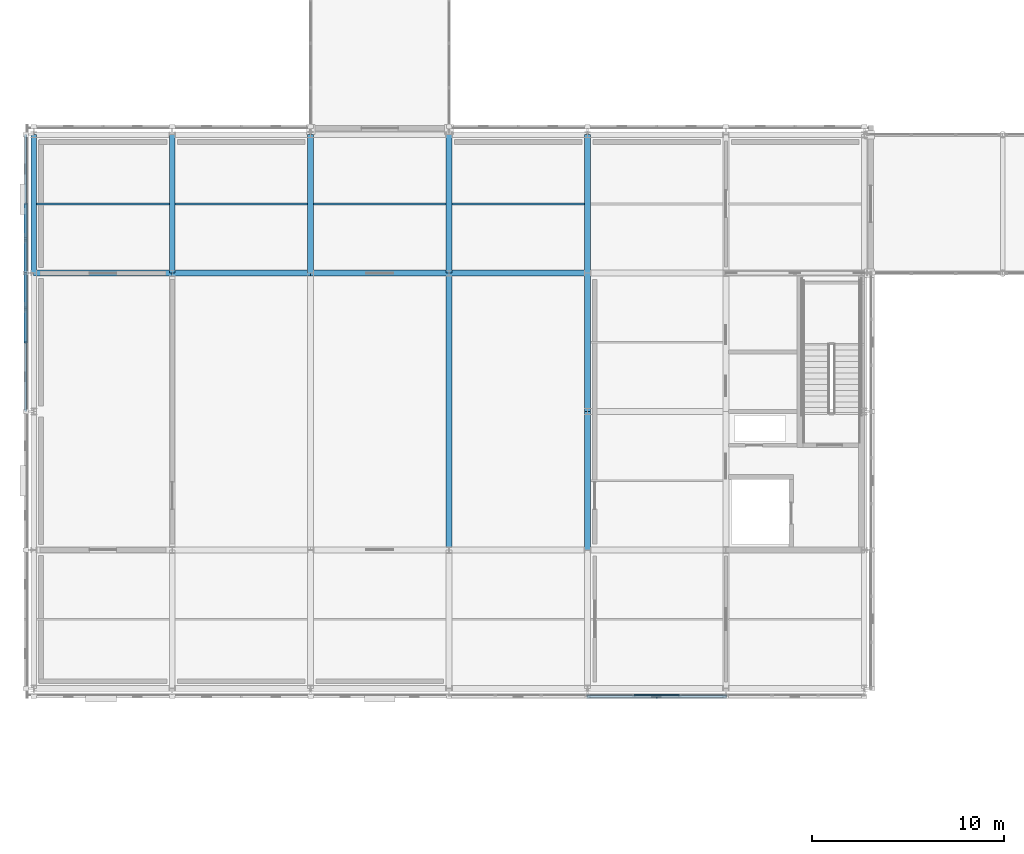
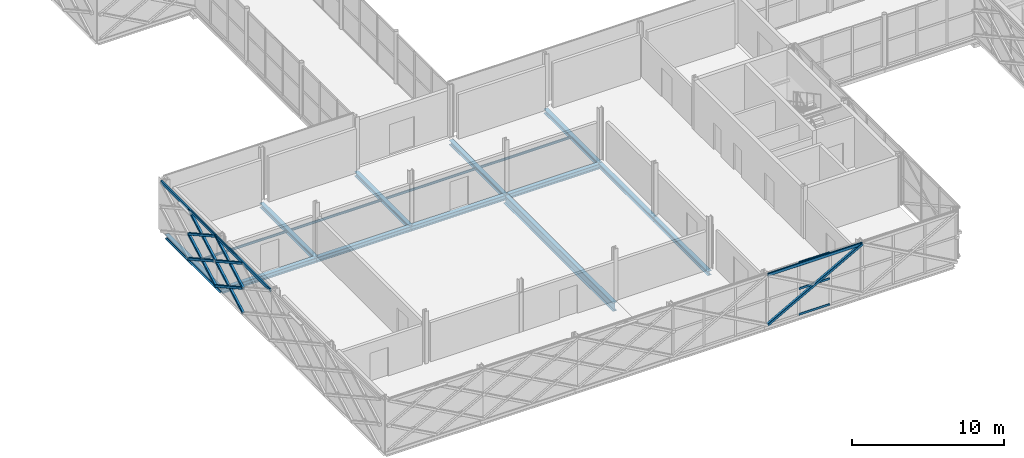
# One storey, part 27 of 146: 19 members, 16 beams, 1 element without a shape of its own.
"""IFC4 building model written with IfcOpenShell, lengths in metres."""

from ifc_helpers import new_model, si_unit, direction, frame, origin, origin_2d, place, context, subcontext, project, spatial, rectangle, hollow_rectangle, i_section, extrude, material, material_profile, profile_set, type_object, element, aggregate, save


model = new_model("IFC4")

# Units and contexts
model_context = context("Model", 3, precision=1e-05, world=origin(), true_north=direction((0.0, 1.0)))
body_context = subcontext(model_context, "Body", "Model", "MODEL_VIEW")
ifc_project = project(units=[si_unit("LENGTHUNIT", "METRE"), si_unit("AREAUNIT", "SQUARE_METRE"), si_unit("VOLUMEUNIT", "CUBIC_METRE"), si_unit("PLANEANGLEUNIT", "RADIAN"), si_unit("MASSUNIT", "GRAM", prefix="KILO")], contexts=[model_context])

# Site, building, storey
site_placement = place(None, origin())
site = spatial("IfcSite", under=ifc_project, at=site_placement, CompositionType="ELEMENT")
building_placement = place(site_placement, origin())
building = spatial("IfcBuilding", under=site, at=building_placement, Name="Zlatovets Crest Museum", CompositionType="ELEMENT")
storey_placement = place(building_placement, frame((0.0, 0.0, 4.5)))
storey = spatial("IfcBuildingStorey", under=building, at=storey_placement, Name="L01", CompositionType="ELEMENT", Elevation=4.5)

# Beams
ifc_material_1 = material(Name="Structural steel S355J2", Category="steel")
ifc_material_profile_1 = material_profile(ifc_material_1, i_section(OverallWidth=0.300048828125, OverallDepth=0.389892578125, WebThickness=0.010986328125, FlangeThickness=0.01904296875, FilletRadius=0.027099609375, at=origin_2d()), Name="HEA 400")
ifc_profile_set_1 = profile_set([ifc_material_profile_1], Name="Structural steel S355J2")
beam_type_1 = type_object("IfcBeamType", Name="Beam_B-02", PredefinedType="BEAM", material=ifc_profile_set_1)
for number, where, z_axis, x_axis, name in (
    (1, (0.0, 21.60009765625, -0.4150390625), (1.0, 0.0, 0.0), (0.0, 1.0, 0.0), "V3 L01 Primary Girder B-02"),
    (2, (7.199951171875, 21.60009765625, -0.4150390625), (1.0, 0.0, 0.0), (0.0, 1.0, 0.0), "V3 L01 Primary Girder B-02"),
):
    element("IfcBeam", number, at=place(storey_placement, frame(where, z_axis=z_axis, x_axis=x_axis)), inside=storey, type_object=beam_type_1, Name=name, PredefinedType="BEAM", context=body_context, shape_type="SweptSolid", body=[
        extrude(i_section(OverallWidth=0.300048828125, OverallDepth=0.389892578125, WebThickness=0.010986328125, FlangeThickness=0.01904296875, FilletRadius=0.027099609375, at=origin_2d()), origin(), (0.0, 0.0, 1.0), 7.199951171875),
    ])
beam_1_placement = place(storey_placement, frame((14.39990234375, 21.60009765625, -0.4150390625), z_axis=(1.0, 0.0, 0.0), x_axis=(0.0, 1.0, 0.0)))
element("IfcBeam", 3, at=beam_1_placement, inside=storey, type_object=beam_type_1, Name="V3 L01 Primary Girder B-02", PredefinedType="BEAM", context=body_context, shape_type="SweptSolid", body=[
    extrude(i_section(OverallWidth=0.300048828125, OverallDepth=0.389892578125, WebThickness=0.010986328125, FlangeThickness=0.01904296875, FilletRadius=0.027099609375, at=origin_2d()), origin(), (0.0, 0.0, 1.0), 7.2001953125),
])
beam_2_placement = place(storey_placement, frame((21.60009765625, 21.60009765625, -0.4150390625), z_axis=(1.0, 0.0, 0.0), x_axis=(0.0, 1.0, 0.0)))
element("IfcBeam", 4, at=beam_2_placement, inside=storey, type_object=beam_type_1, Name="V3 L01 Primary Girder B-02", PredefinedType="BEAM", context=body_context, shape_type="SweptSolid", body=[
    extrude(i_section(OverallWidth=0.300048828125, OverallDepth=0.389892578125, WebThickness=0.010986328125, FlangeThickness=0.01904296875, FilletRadius=0.027099609375, at=origin_2d()), origin(), (0.0, 0.0, 1.0), 7.199951171875),
])
ifc_material_profile_2 = material_profile(ifc_material_1, i_section(OverallWidth=0.300048828125, OverallDepth=0.35009765625, WebThickness=0.010009765625, FlangeThickness=0.017578125, FilletRadius=0.027099609375, at=origin_2d()), Name="HEA 360")
ifc_profile_set_2 = profile_set([ifc_material_profile_2], Name="Structural steel S355J2")
beam_type_2 = type_object("IfcBeamType", Name="Beam_B-03", PredefinedType="BEAM", material=ifc_profile_set_2)
for number, where, z_axis, x_axis, name in (
    (5, (0.0, 21.60009765625, -0.39501953125), (0.0, 1.0, 0.0), (-1.0, 0.0, 0.0), "V3 L01 Grid Beam B-03"),
    (6, (7.199951171875, 21.60009765625, -0.39501953125), (0.0, 1.0, 0.0), (-1.0, 0.0, 0.0), "V3 L01 Grid Beam B-03"),
    (7, (14.39990234375, 21.60009765625, -0.39501953125), (0.0, 1.0, 0.0), (-1.0, 0.0, 0.0), "V3 L01 Grid Beam B-03"),
    (8, (21.60009765625, 21.60009765625, -0.39501953125), (0.0, 1.0, 0.0), (-1.0, 0.0, 0.0), "V3 L01 Grid Beam B-03"),
    (9, (28.800048828125, 7.199951171875, -0.39501953125), (0.0, 1.0, 0.0), (-1.0, 0.0, 0.0), "V3 L01 Grid Beam B-03"),
):
    element("IfcBeam", number, at=place(storey_placement, frame(where, z_axis=z_axis, x_axis=x_axis)), inside=storey, type_object=beam_type_2, Name=name, PredefinedType="BEAM", context=body_context, shape_type="SweptSolid", body=[
        extrude(i_section(OverallWidth=0.300048828125, OverallDepth=0.35009765625, WebThickness=0.010009765625, FlangeThickness=0.017578125, FilletRadius=0.027099609375, at=origin_2d()), origin(), (0.0, 0.0, 1.0), 7.199951171875),
    ])
beam_3_placement = place(storey_placement, frame((28.800048828125, 14.39990234375, -0.39501953125), z_axis=(0.0, 1.0, 0.0), x_axis=(-1.0, 0.0, 0.0)))
element("IfcBeam", 10, at=beam_3_placement, inside=storey, type_object=beam_type_2, Name="V3 L01 Grid Beam B-03", PredefinedType="BEAM", context=body_context, shape_type="SweptSolid", body=[
    extrude(i_section(OverallWidth=0.300048828125, OverallDepth=0.35009765625, WebThickness=0.010009765625, FlangeThickness=0.017578125, FilletRadius=0.027099609375, at=origin_2d()), origin(), (0.0, 0.0, 1.0), 7.2001953125),
])
beam_4_placement = place(storey_placement, frame((28.800048828125, 21.60009765625, -0.39501953125), z_axis=(0.0, 1.0, 0.0), x_axis=(-1.0, 0.0, 0.0)))
element("IfcBeam", 11, at=beam_4_placement, inside=storey, type_object=beam_type_2, Name="V3 L01 Grid Beam B-03", PredefinedType="BEAM", context=body_context, shape_type="SweptSolid", body=[
    extrude(i_section(OverallWidth=0.300048828125, OverallDepth=0.35009765625, WebThickness=0.010009765625, FlangeThickness=0.017578125, FilletRadius=0.027099609375, at=origin_2d()), origin(), (0.0, 0.0, 1.0), 7.199951171875),
])
ifc_material_profile_3 = material_profile(ifc_material_1, i_section(OverallWidth=0.300048828125, OverallDepth=0.699951171875, WebThickness=0.01708984375, FlangeThickness=0.031982421875, FilletRadius=0.027099609375, at=origin_2d()), Name="HEB 700")
ifc_profile_set_3 = profile_set([ifc_material_profile_3], Name="Structural steel S355J2")
beam_type_3 = type_object("IfcBeamType", Name="Beam_B-08", PredefinedType="BEAM", material=ifc_profile_set_3)
beam_5_placement = place(storey_placement, frame((21.60009765625, 7.199951171875, -0.570068359375), z_axis=(0.0, 1.0, 0.0), x_axis=(-1.0, 0.0, 0.0)))
element("IfcBeam", 12, at=beam_5_placement, inside=storey, type_object=beam_type_3, Name="V3 L01 Grid Beam B-08", PredefinedType="BEAM", context=body_context, shape_type="SweptSolid", body=[
    extrude(i_section(OverallWidth=0.300048828125, OverallDepth=0.699951171875, WebThickness=0.01708984375, FlangeThickness=0.031982421875, FilletRadius=0.027099609375, at=origin_2d()), origin(), (0.0, 0.0, 1.0), 14.400146484375),
])
ifc_material_profile_4 = material_profile(ifc_material_1, i_section(OverallWidth=0.091064453125, OverallDepth=0.179931640625, WebThickness=0.00537109375, FlangeThickness=0.008056640625, FilletRadius=0.009033203125, at=origin_2d()), Name="IPE 180")
ifc_profile_set_4 = profile_set([ifc_material_profile_4], Name="Structural steel S355J2")
beam_type_4 = type_object("IfcBeamType", Name="Beam_J-11", PredefinedType="JOIST", material=ifc_profile_set_4)
beam_6_placement = place(storey_placement, frame((0.14990234375, 25.199951171875, -0.31005859375), z_axis=(1.0, 0.0, 0.0), x_axis=(0.0, 1.0, 0.0)))
element("IfcBeam", 13, at=beam_6_placement, inside=storey, type_object=beam_type_4, Name="V3 L01 Composite Joist J-11", PredefinedType="JOIST", context=body_context, shape_type="SweptSolid", body=[
    extrude(i_section(OverallWidth=0.091064453125, OverallDepth=0.179931640625, WebThickness=0.00537109375, FlangeThickness=0.008056640625, FilletRadius=0.009033203125, at=origin_2d()), origin(), (0.0, 0.0, 1.0), 6.900146484375),
])
for number, where, z_axis, x_axis, name in (
    (14, (7.35009765625, 25.199951171875, -0.31005859375), (1.0, 0.0, 0.0), (0.0, 1.0, 0.0), "V3 L01 Composite Joist J-11"),
    (15, (14.550048828125, 25.199951171875, -0.31005859375), (1.0, 0.0, 0.0), (0.0, 1.0, 0.0), "V3 L01 Composite Joist J-11"),
    (16, (21.75, 25.199951171875, -0.31005859375), (1.0, 0.0, 0.0), (0.0, 1.0, 0.0), "V3 L01 Composite Joist J-11"),
):
    element("IfcBeam", number, at=place(storey_placement, frame(where, z_axis=z_axis, x_axis=x_axis)), inside=storey, type_object=beam_type_4, Name=name, PredefinedType="JOIST", context=body_context, shape_type="SweptSolid", body=[
        extrude(i_section(OverallWidth=0.091064453125, OverallDepth=0.179931640625, WebThickness=0.00537109375, FlangeThickness=0.008056640625, FilletRadius=0.009033203125, at=origin_2d()), origin(), (0.0, 0.0, 1.0), 6.89990234375),
    ])

# Curtain wall, members
ifc_material_2 = material(Name="Bronze-anodised aluminium and low-E triple glass", Category="aluminium")
curtain_wall_type = type_object("IfcCurtainWallType", Name="CW_CW-V3-L01-M0", PredefinedType="NOTDEFINED", material=ifc_material_2)
curtain_wall_placement = place(storey_placement, origin())
curtain_wall = element("IfcCurtainWall", 17, at=curtain_wall_placement, inside=storey, type_object=curtain_wall_type, Name="V3 L01 Secession Foyer Clear Curtain Wall", PredefinedType="NOTDEFINED")
ifc_material_3 = material(Name="Bronze-anodised aluminium EN AW-6060", Category="aluminium")
ifc_material_profile_5 = material_profile(ifc_material_3, rectangle(XDim=0.080078125, YDim=0.159912109375, at=origin_2d()), Name="ALU 80x160")
ifc_profile_set_5 = profile_set([ifc_material_profile_5], Name="Bronze-anodised aluminium EN AW-6060")
member_type_1 = type_object("IfcMemberType", Name="CWTrans_T1", PredefinedType="USERDEFINED", material=ifc_profile_set_5)
member_1_placement = place(storey_placement, frame((31.22998046875, -0.340087890625, 0.030029296875), z_axis=(1.0, 0.0, 0.0), x_axis=(0.0, 1.0, 0.0)))
member_1 = element("IfcMember", 18, at=member_1_placement, type_object=member_type_1, Name="CW-V3-L01-M0 transom 2.1", ObjectType="TRANSOM", PredefinedType="USERDEFINED", context=body_context, shape_type="SweptSolid", body=[
    extrude(rectangle(XDim=0.080078125, YDim=0.159912109375, at=origin_2d()), origin(), (0.0, 0.0, 1.0), 2.340087890625),
])
member_2_placement = place(storey_placement, frame((31.22998046875, -0.340087890625, 2.10009765625), z_axis=(1.0, 0.0, 0.0), x_axis=(0.0, 1.0, 0.0)))
member_2 = element("IfcMember", 19, at=member_2_placement, type_object=member_type_1, Name="CW-V3-L01-M0 transom 2.2", ObjectType="TRANSOM", PredefinedType="USERDEFINED", context=body_context, shape_type="SweptSolid", body=[
    extrude(rectangle(XDim=0.080078125, YDim=0.159912109375, at=origin_2d()), origin(), (0.0, 0.0, 1.0), 2.340087890625),
])
member_3_placement = place(storey_placement, frame((31.22998046875, -0.340087890625, 4.169921875), z_axis=(1.0, 0.0, 0.0), x_axis=(0.0, 1.0, 0.0)))
member_3 = element("IfcMember", 20, at=member_3_placement, type_object=member_type_1, Name="CW-V3-L01-M0 transom 2.3", ObjectType="TRANSOM", PredefinedType="USERDEFINED", context=body_context, shape_type="SweptSolid", body=[
    extrude(rectangle(XDim=0.080078125, YDim=0.159912109375, at=origin_2d()), origin(), (0.0, 0.0, 1.0), 2.340087890625),
])
aggregate(curtain_wall, [member_1, member_2, member_3])

# Members
ifc_material_4 = material(Name="Weathering bronze-steel S355J2W", Category="steel")
ifc_material_profile_6 = material_profile(ifc_material_4, hollow_rectangle(XDim=0.179931640625, YDim=0.179931640625, WallThickness=0.010009765625, InnerFilletRadius=0.010009765625, OuterFilletRadius=0.02001953125, at=origin_2d()), Name="SHS 180x180x10.0")
ifc_profile_set_6 = profile_set([ifc_material_profile_6], Name="Weathering bronze-steel S355J2W")
member_type_2 = type_object("IfcMemberType", Name="Lattice_XL-01", PredefinedType="BRACE", material=ifc_profile_set_6)
member_4_placement = place(storey_placement, frame((-0.419921875, 25.199951171875, 0.10009765625), z_axis=(0.0, -0.874148886685, 0.485658031857), x_axis=(1.0, 0.0, 0.0)))
element("IfcMember", 21, at=member_4_placement, inside=storey, type_object=member_type_2, Name="Continuous Bronze Lattice Diagonal", PredefinedType="BRACE", context=body_context, shape_type="SweptSolid", body=[
    extrude(hollow_rectangle(XDim=0.179931640625, YDim=0.179931640625, WallThickness=0.010009765625, InnerFilletRadius=0.010009765625, OuterFilletRadius=0.02001953125, at=origin_2d()), origin(), (0.0, 0.0, 1.0), 4.1181640625),
])
member_5_placement = place(storey_placement, frame((-0.419921875, 25.199951171875, 2.10009765625), z_axis=(0.0, -0.874116234569, -0.48571679862), x_axis=(1.0, 0.0, 0.0)))
element("IfcMember", 22, at=member_5_placement, inside=storey, type_object=member_type_2, Name="Split Crossing Bronze Lattice Diagonal Upper", PredefinedType="BRACE", context=body_context, shape_type="SweptSolid", body=[
    extrude(hollow_rectangle(XDim=0.179931640625, YDim=0.179931640625, WallThickness=0.010009765625, InnerFilletRadius=0.010009765625, OuterFilletRadius=0.02001953125, at=origin_2d()), origin(), (0.0, 0.0, 1.0), 1.96435546875),
])
member_6_placement = place(storey_placement, frame((-0.419921875, 23.31689453125, 1.053955078125), z_axis=(0.0, -0.874139684676, -0.48567459443), x_axis=(1.0, 0.0, 0.0)))
element("IfcMember", 23, at=member_6_placement, inside=storey, type_object=member_type_2, Name="Split Crossing Bronze Lattice Diagonal Lower", PredefinedType="BRACE", context=body_context, shape_type="SweptSolid", body=[
    extrude(hollow_rectangle(XDim=0.179931640625, YDim=0.179931640625, WallThickness=0.010009765625, InnerFilletRadius=0.010009765625, OuterFilletRadius=0.02001953125, at=origin_2d()), origin(), (0.0, 0.0, 1.0), 1.9638671875),
])
member_7_placement = place(storey_placement, frame((-0.419921875, 25.199951171875, 2.10009765625), z_axis=(0.0, -0.874148886685, 0.485658031857), x_axis=(1.0, 0.0, 0.0)))
element("IfcMember", 24, at=member_7_placement, inside=storey, type_object=member_type_2, Name="Continuous Bronze Lattice Diagonal", PredefinedType="BRACE", context=body_context, shape_type="SweptSolid", body=[
    extrude(hollow_rectangle(XDim=0.179931640625, YDim=0.179931640625, WallThickness=0.010009765625, InnerFilletRadius=0.010009765625, OuterFilletRadius=0.02001953125, at=origin_2d()), origin(), (0.0, 0.0, 1.0), 4.1181640625),
])
member_8_placement = place(storey_placement, frame((-0.419921875, 25.199951171875, 4.10009765625), z_axis=(0.0, -0.874116234569, -0.48571679862), x_axis=(1.0, 0.0, 0.0)))
element("IfcMember", 25, at=member_8_placement, inside=storey, type_object=member_type_2, Name="Split Crossing Bronze Lattice Diagonal Upper", PredefinedType="BRACE", context=body_context, shape_type="SweptSolid", body=[
    extrude(hollow_rectangle(XDim=0.179931640625, YDim=0.179931640625, WallThickness=0.010009765625, InnerFilletRadius=0.010009765625, OuterFilletRadius=0.02001953125, at=origin_2d()), origin(), (0.0, 0.0, 1.0), 1.96435546875),
])
member_9_placement = place(storey_placement, frame((-0.419921875, 23.31689453125, 3.053955078125), z_axis=(0.0, -0.874139684676, -0.48567459443), x_axis=(1.0, 0.0, 0.0)))
element("IfcMember", 26, at=member_9_placement, inside=storey, type_object=member_type_2, Name="Split Crossing Bronze Lattice Diagonal Lower", PredefinedType="BRACE", context=body_context, shape_type="SweptSolid", body=[
    extrude(hollow_rectangle(XDim=0.179931640625, YDim=0.179931640625, WallThickness=0.010009765625, InnerFilletRadius=0.010009765625, OuterFilletRadius=0.02001953125, at=origin_2d()), origin(), (0.0, 0.0, 1.0), 1.9638671875),
])
member_10_placement = place(storey_placement, frame((-0.419921875, 21.60009765625, 0.10009765625), z_axis=(0.0, -0.874162868644, 0.485632864501), x_axis=(1.0, 0.0, 0.0)))
element("IfcMember", 27, at=member_10_placement, inside=storey, type_object=member_type_2, Name="Continuous Bronze Lattice Diagonal", PredefinedType="BRACE", context=body_context, shape_type="SweptSolid", body=[
    extrude(hollow_rectangle(XDim=0.179931640625, YDim=0.179931640625, WallThickness=0.010009765625, InnerFilletRadius=0.010009765625, OuterFilletRadius=0.02001953125, at=origin_2d()), origin(), (0.0, 0.0, 1.0), 4.118408203125),
])
member_11_placement = place(storey_placement, frame((-0.419921875, 21.60009765625, 2.10009765625), z_axis=(0.0, -0.874116234569, -0.48571679862), x_axis=(1.0, 0.0, 0.0)))
element("IfcMember", 28, at=member_11_placement, inside=storey, type_object=member_type_2, Name="Split Crossing Bronze Lattice Diagonal Upper", PredefinedType="BRACE", context=body_context, shape_type="SweptSolid", body=[
    extrude(hollow_rectangle(XDim=0.179931640625, YDim=0.179931640625, WallThickness=0.010009765625, InnerFilletRadius=0.010009765625, OuterFilletRadius=0.02001953125, at=origin_2d()), origin(), (0.0, 0.0, 1.0), 1.96435546875),
])
member_12_placement = place(storey_placement, frame((-0.419921875, 19.717041015625, 1.053955078125), z_axis=(0.0, -0.874169001841, -0.485621824284), x_axis=(1.0, 0.0, 0.0)))
element("IfcMember", 29, at=member_12_placement, inside=storey, type_object=member_type_2, Name="Split Crossing Bronze Lattice Diagonal Lower", PredefinedType="BRACE", context=body_context, shape_type="SweptSolid", body=[
    extrude(hollow_rectangle(XDim=0.179931640625, YDim=0.179931640625, WallThickness=0.010009765625, InnerFilletRadius=0.010009765625, OuterFilletRadius=0.02001953125, at=origin_2d()), origin(), (0.0, 0.0, 1.0), 1.964111328125),
])
member_13_placement = place(storey_placement, frame((-0.419921875, 21.60009765625, 2.10009765625), z_axis=(0.0, -0.874162868644, 0.485632864501), x_axis=(1.0, 0.0, 0.0)))
element("IfcMember", 30, at=member_13_placement, inside=storey, type_object=member_type_2, Name="Continuous Bronze Lattice Diagonal", PredefinedType="BRACE", context=body_context, shape_type="SweptSolid", body=[
    extrude(hollow_rectangle(XDim=0.179931640625, YDim=0.179931640625, WallThickness=0.010009765625, InnerFilletRadius=0.010009765625, OuterFilletRadius=0.02001953125, at=origin_2d()), origin(), (0.0, 0.0, 1.0), 4.118408203125),
])
member_14_placement = place(storey_placement, frame((-0.419921875, 21.60009765625, 4.10009765625), z_axis=(0.0, -0.874116234569, -0.48571679862), x_axis=(1.0, 0.0, 0.0)))
element("IfcMember", 31, at=member_14_placement, inside=storey, type_object=member_type_2, Name="Split Crossing Bronze Lattice Diagonal Upper", PredefinedType="BRACE", context=body_context, shape_type="SweptSolid", body=[
    extrude(hollow_rectangle(XDim=0.179931640625, YDim=0.179931640625, WallThickness=0.010009765625, InnerFilletRadius=0.010009765625, OuterFilletRadius=0.02001953125, at=origin_2d()), origin(), (0.0, 0.0, 1.0), 1.96435546875),
])
member_15_placement = place(storey_placement, frame((-0.419921875, 19.717041015625, 3.053955078125), z_axis=(0.0, -0.874169001841, -0.485621824284), x_axis=(1.0, 0.0, 0.0)))
element("IfcMember", 32, at=member_15_placement, inside=storey, type_object=member_type_2, Name="Split Crossing Bronze Lattice Diagonal Lower", PredefinedType="BRACE", context=body_context, shape_type="SweptSolid", body=[
    extrude(hollow_rectangle(XDim=0.179931640625, YDim=0.179931640625, WallThickness=0.010009765625, InnerFilletRadius=0.010009765625, OuterFilletRadius=0.02001953125, at=origin_2d()), origin(), (0.0, 0.0, 1.0), 1.964111328125),
])
ifc_material_profile_7 = material_profile(ifc_material_4, hollow_rectangle(XDim=0.199951171875, YDim=0.199951171875, WallThickness=0.012451171875, InnerFilletRadius=0.012451171875, OuterFilletRadius=0.02490234375, at=origin_2d()), Name="SHS 200x200x12.5")
ifc_profile_set_7 = profile_set([ifc_material_profile_7], Name="Weathering bronze-steel S355J2W")
member_type_3 = type_object("IfcMemberType", Name="Lattice_XL-02", PredefinedType="BRACE", material=ifc_profile_set_7)
member_16_placement = place(storey_placement, frame((28.800048828125, -0.419921875, 0.10009765625), z_axis=(0.874155877937, 0.0, 0.485645447903), x_axis=(0.0, 1.0, 0.0)))
element("IfcMember", 33, at=member_16_placement, inside=storey, type_object=member_type_3, Name="Continuous Bronze Lattice Diagonal", PredefinedType="BRACE", context=body_context, shape_type="SweptSolid", body=[
    extrude(hollow_rectangle(XDim=0.199951171875, YDim=0.199951171875, WallThickness=0.012451171875, InnerFilletRadius=0.012451171875, OuterFilletRadius=0.02490234375, at=origin_2d()), origin(), (0.0, 0.0, 1.0), 8.236572265625),
])
ifc_material_profile_8 = material_profile(ifc_material_4, hollow_rectangle(XDim=0.1201171875, YDim=0.239990234375, WallThickness=0.010009765625, InnerFilletRadius=0.010009765625, OuterFilletRadius=0.02001953125, at=origin_2d()), Name="RHS 120x240x10.0")
ifc_profile_set_8 = profile_set([ifc_material_profile_8], Name="Weathering bronze-steel S355J2W")
member_type_4 = type_object("IfcMemberType", Name="Lattice_XL-04", PredefinedType="CHORD", material=ifc_profile_set_8)
for number, where, z_axis, x_axis, name in (
    (34, (28.800048828125, -0.419921875, 4.10009765625), (1.0, 0.0, 0.0), (0.0, 1.0, 0.0), "Art Nouveau Woven Cage Collector Ring Chord"),
    (35, (-0.419921875, 28.800048828125, 4.10009765625), (0.0, -1.0, 0.0), (1.0, 0.0, 0.0), "Art Nouveau Woven Cage Collector Ring Chord"),
):
    element("IfcMember", number, at=place(storey_placement, frame(where, z_axis=z_axis, x_axis=x_axis)), inside=storey, type_object=member_type_4, Name=name, PredefinedType="CHORD", context=body_context, shape_type="SweptSolid", body=[
        extrude(hollow_rectangle(XDim=0.1201171875, YDim=0.239990234375, WallThickness=0.010009765625, InnerFilletRadius=0.010009765625, OuterFilletRadius=0.02001953125, at=origin_2d()), origin(), (0.0, 0.0, 1.0), 7.199951171875),
    ])
member_17_placement = place(storey_placement, frame((-0.419921875, 21.60009765625, 4.10009765625), z_axis=(0.0, -1.0, 0.0), x_axis=(1.0, 0.0, 0.0)))
element("IfcMember", 36, at=member_17_placement, inside=storey, type_object=member_type_4, Name="Art Nouveau Woven Cage Collector Ring Chord", PredefinedType="CHORD", context=body_context, shape_type="SweptSolid", body=[
    extrude(hollow_rectangle(XDim=0.1201171875, YDim=0.239990234375, WallThickness=0.010009765625, InnerFilletRadius=0.010009765625, OuterFilletRadius=0.02001953125, at=origin_2d()), origin(), (0.0, 0.0, 1.0), 7.2001953125),
])

save(model, "model.ifc")
